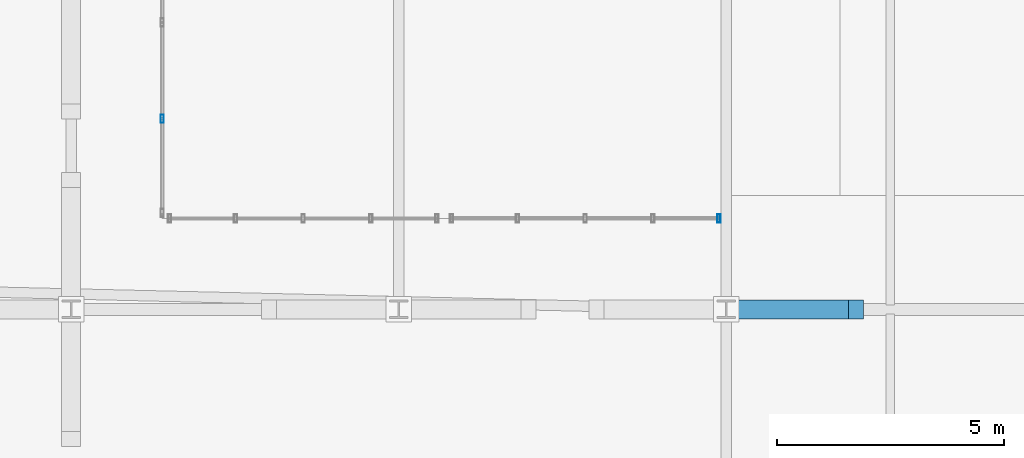
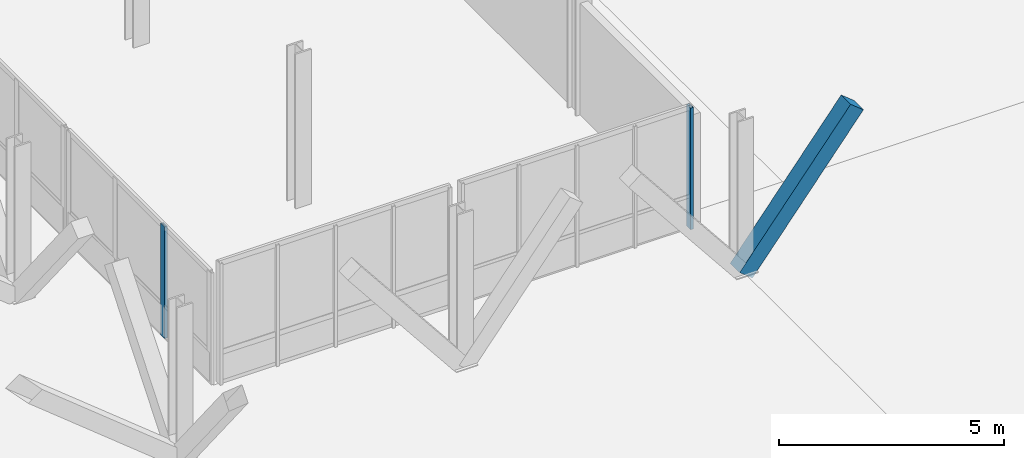
# One storey, part 10 of 102: 3 members, 2 elements without a shape of their own.
"""IFC4 building model written with IfcOpenShell, lengths in metres."""

from ifc_helpers import new_model, si_unit, direction, frame, origin, origin_2d, place, context, subcontext, project, spatial, rectangle, hollow_rectangle, extrude, material, material_profile, profile_set, type_object, element, aggregate, save


model = new_model("IFC4")

# Units and contexts
model_context = context("Model", 3, precision=1e-05, world=origin(), true_north=direction((0.0, 1.0)))
body_context = subcontext(model_context, "Body", "Model", "MODEL_VIEW")
ifc_project = project(units=[si_unit("LENGTHUNIT", "METRE"), si_unit("AREAUNIT", "SQUARE_METRE"), si_unit("VOLUMEUNIT", "CUBIC_METRE"), si_unit("PLANEANGLEUNIT", "RADIAN"), si_unit("MASSUNIT", "GRAM", prefix="KILO")], contexts=[model_context])

# Site, building, storey
site_placement = place(None, origin())
site = spatial("IfcSite", under=ifc_project, at=site_placement, CompositionType="ELEMENT")
building_placement = place(site_placement, origin())
building = spatial("IfcBuilding", under=site, at=building_placement, Name="Yarey Park Central Fire Station", CompositionType="ELEMENT")
storey_placement = place(building_placement, frame((0.0, 0.0, 6.0)))
storey = spatial("IfcBuildingStorey", under=building, at=storey_placement, Name="L02", CompositionType="ELEMENT", Elevation=6.0)

# Curtain wall, member
ifc_material_1 = material(Name="Anodized Aluminium Frame", Category="aluminium")
curtain_wall_type_1 = type_object("IfcCurtainWallType", Name="ENV_CW_V3_GALW", PredefinedType="NOTDEFINED", material=ifc_material_1)
curtain_wall_1_placement = place(storey_placement, origin())
curtain_wall_1 = element("IfcCurtainWall", 1, at=curtain_wall_1_placement, inside=storey, type_object=curtain_wall_type_1, Name="CW_L02_V1_W_030", PredefinedType="NOTDEFINED")
ifc_material_profile_1 = material_profile(ifc_material_1, hollow_rectangle(XDim=0.070068359375, YDim=0.179931640625, WallThickness=0.00390625, at=origin_2d()), Name="ALU 180x70x4")
ifc_profile_set_1 = profile_set([ifc_material_profile_1], Name="Anodized Aluminium Frame")
member_type_1 = type_object("IfcMemberType", Name="ENV_CW_MULLION", PredefinedType="MULLION", material=ifc_profile_set_1)
member_1_placement = place(storey_placement, frame((16.39990234375, 25.793212890625, 0.0), z_axis=(0.0, 0.0, 1.0), x_axis=(1.0, 0.0, 0.0)))
member_1 = element("IfcMember", 2, at=member_1_placement, type_object=member_type_1, Name="CW_L02_V1_W_030_MUL3", PredefinedType="MULLION", context=body_context, shape_type="SweptSolid", body=[
    extrude(hollow_rectangle(XDim=0.070068359375, YDim=0.179931640625, WallThickness=0.00390625, at=origin_2d()), origin(), (0.0, 0.0, 1.0), 3.028076171875),
])
aggregate(curtain_wall_1, [member_1])

curtain_wall_type_2 = type_object("IfcCurtainWallType", Name="ENV_CW_V3_GALN", PredefinedType="NOTDEFINED", material=ifc_material_1)
curtain_wall_2_placement = place(storey_placement, origin())
curtain_wall_2 = element("IfcCurtainWall", 3, at=curtain_wall_2_placement, inside=storey, type_object=curtain_wall_type_2, Name="CW_L02_V1_SW_034", PredefinedType="NOTDEFINED")
member_2_placement = place(storey_placement, frame((28.639892578125, 23.60009765625, 0.0), z_axis=(0.0, 0.0, 1.0), x_axis=(1.0, 0.0, 0.0)))
member_2 = element("IfcMember", 4, at=member_2_placement, type_object=member_type_1, Name="CW_L02_V1_SW_034_MUL5", PredefinedType="MULLION", context=body_context, shape_type="SweptSolid", body=[
    extrude(hollow_rectangle(XDim=0.070068359375, YDim=0.179931640625, WallThickness=0.00390625, at=origin_2d()), origin(), (0.0, 0.0, 1.0), 3.300048828125),
])
aggregate(curtain_wall_2, [member_2])

# Member
ifc_material_2 = material(Name="Glulam GL28h", Category="wood")
ifc_material_profile_2 = material_profile(ifc_material_2, rectangle(XDim=0.419921875, YDim=0.419921875, at=origin_2d()), Name="GL 420x420")
ifc_profile_set_2 = profile_set([ifc_material_profile_2], Name="Glulam GL28h")
member_type_2 = type_object("IfcMemberType", Name="STR_STRUT_GL420", PredefinedType="STRUT", material=ifc_profile_set_2)
member_3_placement = place(storey_placement, frame((28.800048828125, 21.60009765625, -0.02001953125), z_axis=(0.623866946252, 0.0, 0.781530570979), x_axis=(0.0, 1.0, 0.0)))
element("IfcMember", 5, at=member_3_placement, inside=storey, type_object=member_type_2, Name="Raked Glulam Strut RGS-61", PredefinedType="STRUT", context=body_context, shape_type="SweptSolid", body=[
    extrude(rectangle(XDim=0.419921875, YDim=0.419921875, at=origin_2d()), origin(), (0.0, 0.0, 1.0), 4.568115234375),
])

save(model, "model.ifc")
